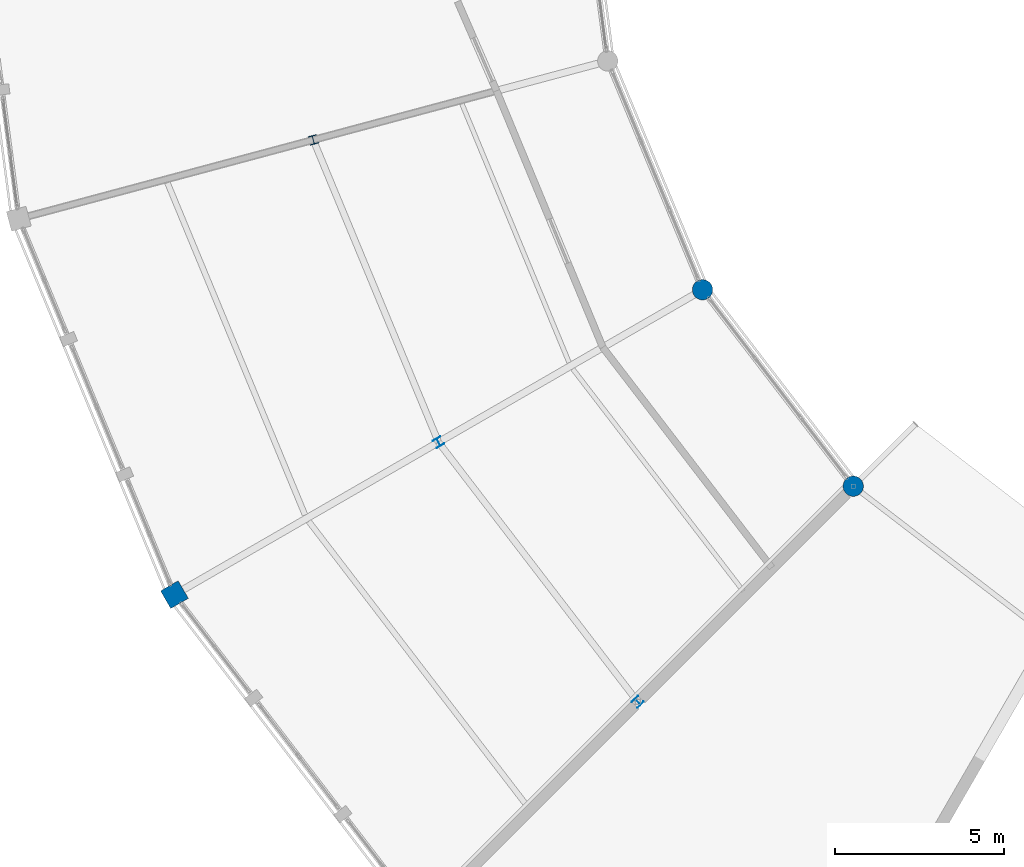
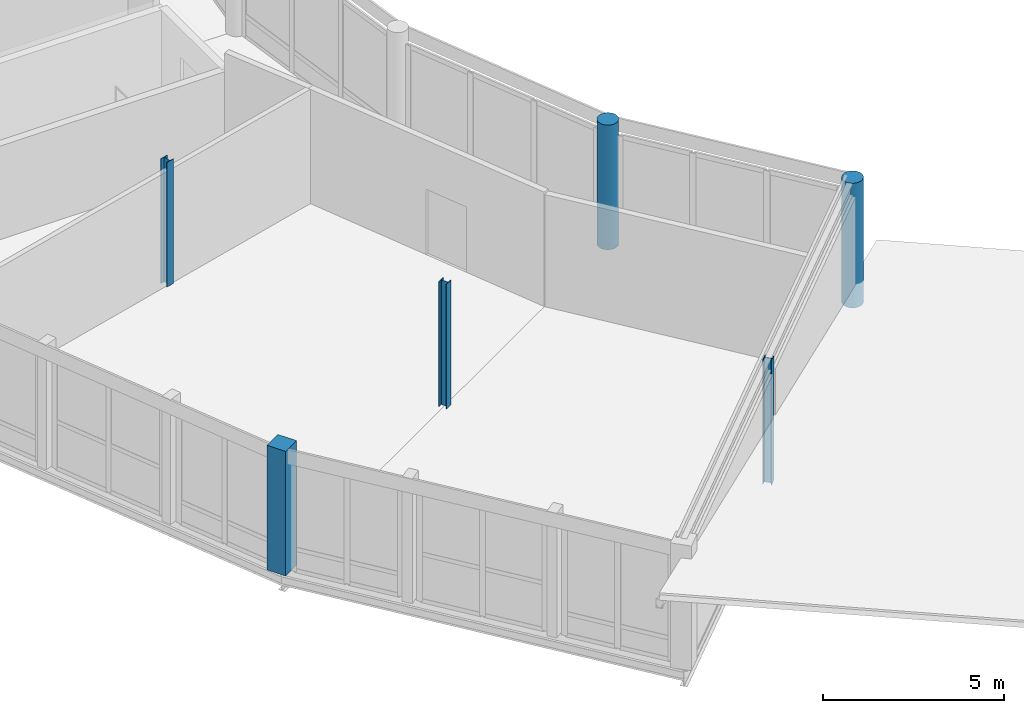
# One storey, part 4 of 200: 6 columns.
"""IFC4 building model written with IfcOpenShell, lengths in metres."""

from ifc_helpers import new_model, si_unit, direction, frame, origin, origin_2d, place, context, subcontext, project, spatial, rectangle, circle, i_section, extrude, material, material_profile, profile_set, type_object, element, save


model = new_model("IFC4")

# Units and contexts
model_context = context("Model", 3, precision=1e-05, world=origin(), true_north=direction((0.0, 1.0)))
body_context = subcontext(model_context, "Body", "Model", "MODEL_VIEW")
ifc_project = project(units=[si_unit("LENGTHUNIT", "METRE"), si_unit("AREAUNIT", "SQUARE_METRE"), si_unit("VOLUMEUNIT", "CUBIC_METRE"), si_unit("PLANEANGLEUNIT", "RADIAN"), si_unit("MASSUNIT", "GRAM", prefix="KILO")], contexts=[model_context])

# Site, building, storey
site_placement = place(None, origin())
site = spatial("IfcSite", under=ifc_project, at=site_placement, CompositionType="ELEMENT")
building_placement = place(site_placement, origin())
building = spatial("IfcBuilding", under=site, at=building_placement, Name="Vondelvale Polytechnic", CompositionType="ELEMENT")
storey_placement = place(building_placement, frame((0.0, 0.0, 13.800048828125)))
storey = spatial("IfcBuildingStorey", under=building, at=storey_placement, Name="L03", CompositionType="ELEMENT", Elevation=13.800048828125)

# Columns
ifc_material_1 = material(Name="Concrete N50 (f'c = 50 MPa)", Category="concrete")
ifc_material_profile_1 = material_profile(ifc_material_1, rectangle(XDim=0.60009765625, YDim=0.60009765625, at=origin_2d()), Name="RC-COL-600x600")
ifc_profile_set_1 = profile_set([ifc_material_profile_1], Name="Concrete N50 (f'c = 50 MPa)")
column_type_1 = type_object("IfcColumnType", Name="COL-RC600", PredefinedType="COLUMN", material=ifc_profile_set_1)
column_placement = place(storey_placement, frame((62.162841796875, 49.0, 0.0), z_axis=(0.0, 0.0, 1.0), x_axis=(0.866025403784, 0.5, 0.0)))
element("IfcColumn", 1, at=column_placement, inside=storey, type_object=column_type_1, Name="L03 courtyard ring column S14-RO", PredefinedType="COLUMN", context=body_context, shape_type="SweptSolid", body=[
    extrude(rectangle(XDim=0.60009765625, YDim=0.60009765625, at=origin_2d()), origin(), (0.0, 0.0, 1.0), 4.199951171875),
])
ifc_material_profile_2 = material_profile(ifc_material_1, circle(Radius=0.300048828125, at=origin_2d()), Name="RC-COL-D600")
ifc_profile_set_2 = profile_set([ifc_material_profile_2], Name="Concrete N50 (f'c = 50 MPa)")
column_type_2 = type_object("IfcColumnType", Name="COL-RCD600", PredefinedType="COLUMN", material=ifc_profile_set_2)
for number, where, z_axis, x_axis, name in (
    (2, (77.751220703125, 58.0, 0.0), (0.0, 0.0, 1.0), (0.866025403784, 0.5, 0.0), "L03 courtyard ring column S14-RI"),
    (3, (82.200927734375, 52.200927734375, 0.0), (0.0, 0.0, 1.0), (0.707106781187, 0.707106781187, 0.0), "L03 courtyard ring column S15-RI"),
):
    element("IfcColumn", number, at=place(storey_placement, frame(where, z_axis=z_axis, x_axis=x_axis)), inside=storey, type_object=column_type_2, Name=name, PredefinedType="COLUMN", context=body_context, shape_type="SweptSolid", body=[
        extrude(circle(Radius=0.300048828125, at=origin_2d()), origin(), (0.0, 0.0, 1.0), 4.199951171875),
    ])
ifc_material_2 = material(Name="Steel 300PLUS (fy = 300 MPa)", Category="steel")
ifc_material_profile_3 = material_profile(ifc_material_2, i_section(OverallWidth=0.25390625, OverallDepth=0.25390625, WebThickness=0.008544921875, FlangeThickness=0.01416015625, FilletRadius=0.013916015625, at=origin_2d()), Name="250UC72.9")
ifc_profile_set_3 = profile_set([ifc_material_profile_3], Name="Steel 300PLUS (fy = 300 MPa)")
column_type_3 = type_object("IfcColumnType", Name="COL-UC250L", PredefinedType="COLUMN", material=ifc_profile_set_3)
for number, where, z_axis, x_axis, name in (
    (4, (66.2607421875, 62.423583984375, 0.0), (0.0, 0.0, 1.0), (0.965925826289, 0.258819045103, 0.0), "L03 courtyard ring column S13-RM"),
    (5, (69.95703125, 53.5, 0.0), (0.0, 0.0, 1.0), (0.866025403784, 0.5, 0.0), "L03 courtyard ring column S14-RM"),
    (6, (75.8369140625, 45.8369140625, 0.0), (0.0, 0.0, 1.0), (0.707106781187, 0.707106781187, 0.0), "L03 courtyard ring column S15-RM"),
):
    element("IfcColumn", number, at=place(storey_placement, frame(where, z_axis=z_axis, x_axis=x_axis)), inside=storey, type_object=column_type_3, Name=name, PredefinedType="COLUMN", context=body_context, shape_type="SweptSolid", body=[
        extrude(i_section(OverallWidth=0.25390625, OverallDepth=0.25390625, WebThickness=0.008544921875, FlangeThickness=0.01416015625, FilletRadius=0.013916015625, at=origin_2d()), origin(), (0.0, 0.0, 1.0), 4.199951171875),
    ])

save(model, "model.ifc")
